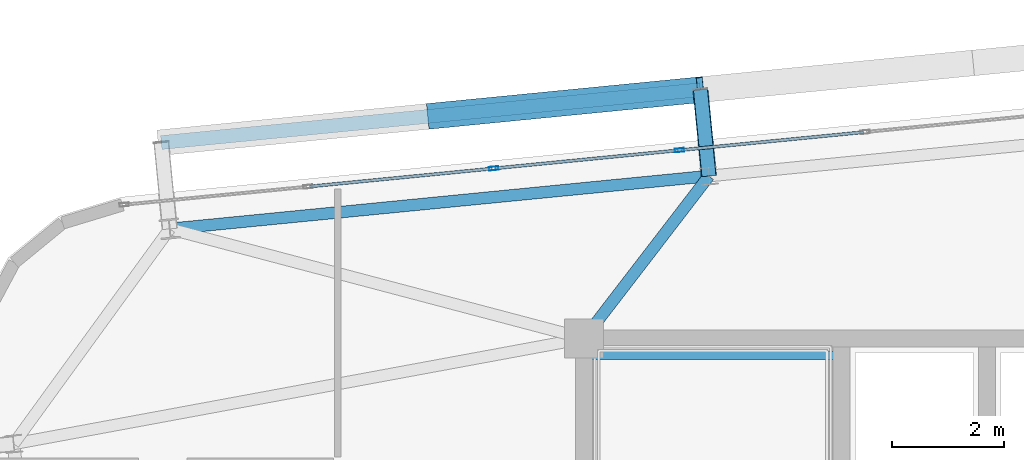
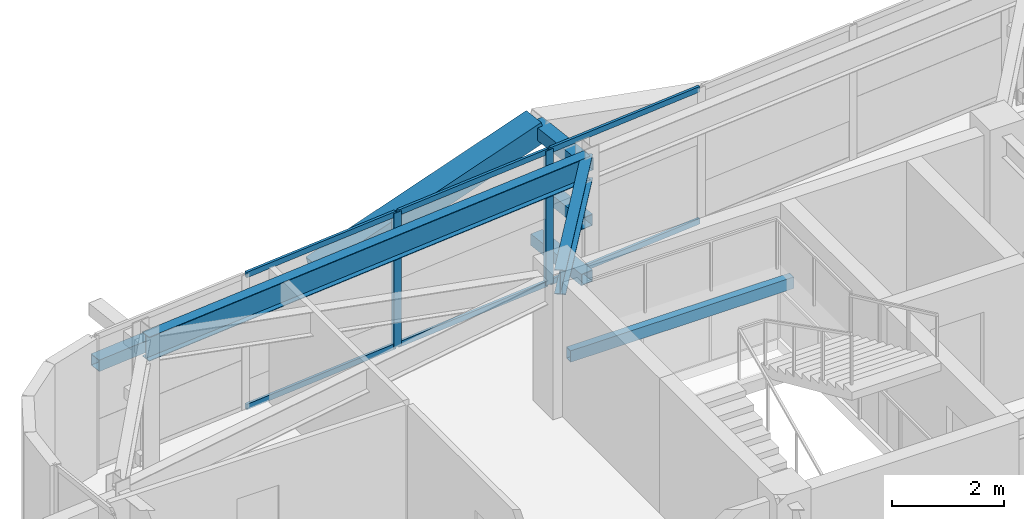
# One storey, part 28 of 53: 13 members, 3 beams, 1 element without a shape of its own.
"""IFC4 building model written with IfcOpenShell, lengths in metres."""

from ifc_helpers import new_model, si_unit, direction, frame, origin, origin_2d, place, context, subcontext, project, spatial, hollow_rectangle, i_section, extrude, source, transform, mapped, material, layer, layer_set, material_profile, profile_set, type_object, element, aggregate, save


model = new_model("IFC4")

# Units and contexts
model_context = context("Model", 3, precision=1e-05, world=origin(), true_north=direction((0.0, 1.0)))
body_context = subcontext(model_context, "Body", "Model", "MODEL_VIEW")
ifc_project = project(units=[si_unit("LENGTHUNIT", "METRE"), si_unit("AREAUNIT", "SQUARE_METRE"), si_unit("VOLUMEUNIT", "CUBIC_METRE"), si_unit("PLANEANGLEUNIT", "RADIAN"), si_unit("MASSUNIT", "GRAM", prefix="KILO")], contexts=[model_context])

# Site, building, storey
site_placement = place(None, origin())
site = spatial("IfcSite", under=ifc_project, at=site_placement, CompositionType="ELEMENT")
building_placement = place(site_placement, origin())
building = spatial("IfcBuilding", under=site, at=building_placement, Name="Taldren Reach Tower", CompositionType="ELEMENT")
storey_placement = place(building_placement, frame((0.0, 0.0, 80.85009765625)))
storey = spatial("IfcBuildingStorey", under=building, at=storey_placement, Name="L24", CompositionType="ELEMENT", Elevation=80.85009765625)

# Beams
ifc_material_1 = material(Name="Steel Gr 350 (350PLUS)", Category="steel")
ifc_material_profile_1 = material_profile(ifc_material_1, i_section(OverallWidth=0.208984375, OverallDepth=0.528076171875, WebThickness=0.009521484375, FlangeThickness=0.01318359375, at=origin_2d()), Name="530UB82.0")
ifc_profile_set_1 = profile_set([ifc_material_profile_1], Name="Steel Gr 350 (350PLUS)")
beam_type_1 = type_object("IfcBeamType", Name="SP-UB530B", PredefinedType="SPANDREL", material=ifc_profile_set_1)
shared_shape_1 = source(origin(), body_context, "Body", "SweptSolid", [
    extrude(i_section(OverallWidth=0.208984375, OverallDepth=0.528076171875, WebThickness=0.009521484375, FlangeThickness=0.01318359375, at=origin_2d()), origin(), (0.0, 0.0, 1.0), 9.679931640625),
])
beam_1_placement = place(storey_placement, frame((21.230712890625, 34.9013671875, 2.666015625), z_axis=(-0.995227612658, -0.097580730699, 0.0), x_axis=(0.097580730699, -0.995227612658, 0.0)))
element("IfcBeam", 1, at=beam_1_placement, inside=storey, type_object=beam_type_1, Name="Perimeter spandrel B2 N2-N1 L24", PredefinedType="SPANDREL", context=body_context, shape_type="MappedRepresentation", body=[
    mapped(shared_shape_1, transform((0.0, 0.0, 0.0), scale=1.0)),
])
ifc_material_profile_2 = material_profile(ifc_material_1, i_section(OverallWidth=0.208984375, OverallDepth=0.532958984375, WebThickness=0.01025390625, FlangeThickness=0.015625, at=origin_2d()), Name="530UB92.4")
ifc_profile_set_2 = profile_set([ifc_material_profile_2], Name="Steel Gr 350 (350PLUS)")
beam_type_2 = type_object("IfcBeamType", Name="BM-UB530A", PredefinedType="BEAM", material=ifc_profile_set_2)
shared_shape_2 = source(origin(), body_context, "Body", "SweptSolid", [
    extrude(i_section(OverallWidth=0.208984375, OverallDepth=0.532958984375, WebThickness=0.01025390625, FlangeThickness=0.015625, at=origin_2d()), origin(), (0.0, 0.0, 1.0), 3.65966796875),
])
beam_2_placement = place(storey_placement, frame((19.0, 32.0, 2.663330078125), z_axis=(0.609520535722, 0.792770279799, 0.0), x_axis=(-0.792770279799, 0.609520535722, 0.0)))
element("IfcBeam", 2, at=beam_2_placement, inside=storey, type_object=beam_type_2, Name="Primary floor girder B2-N2 L24", PredefinedType="BEAM", context=body_context, shape_type="MappedRepresentation", body=[
    mapped(shared_shape_2, transform((0.0, 0.0, 0.0), scale=1.0)),
])

# Members
ifc_material_2 = material(Name="Steel Gr 450 (C450L0)", Category="steel")
ifc_material_profile_3 = material_profile(ifc_material_2, hollow_rectangle(XDim=0.27490234375, YDim=0.27490234375, WallThickness=0.00927734375, at=origin_2d()), Name="275x275x9.3SHS")
ifc_profile_set_3 = profile_set([ifc_material_profile_3], Name="Steel Gr 450 (C450L0)")
member_type_1 = type_object("IfcMemberType", Name="MB-TIE273", PredefinedType="STRUT", material=ifc_profile_set_3)
shared_shape_3 = source(origin(), body_context, "Body", "SweptSolid", [
    extrude(hollow_rectangle(XDim=0.27490234375, YDim=0.27490234375, WallThickness=0.00927734375, at=origin_2d()), origin(), (0.0, 0.0, 1.0), 1.550048828125),
])
member_1_placement = place(storey_placement, frame((21.230712890625, 34.9013671875, 2.64990234375), z_axis=(-0.097647892962, 0.9952210252, 0.0), x_axis=(-0.9952210252, -0.097647892962, 0.0)))
element("IfcMember", 3, at=member_1_placement, inside=storey, type_object=member_type_1, Name="Exoskeleton diaphragm tie strut B2-N2 L24", PredefinedType="STRUT", context=body_context, shape_type="MappedRepresentation", body=[
    mapped(shared_shape_3, transform((0.0, 0.0, 0.0), scale=1.0)),
])
ifc_material_profile_4 = material_profile(ifc_material_2, hollow_rectangle(XDim=0.4599609375, YDim=0.4599609375, WallThickness=0.01611328125, at=origin_2d()), Name="460x460x16.0SHS")
ifc_profile_set_4 = profile_set([ifc_material_profile_4], Name="Steel Gr 450 (C450L0)")
member_type_2 = type_object("IfcMemberType", Name="MB-EXO457", PredefinedType="BRACE", material=ifc_profile_set_4)
shared_shape_4 = source(origin(), body_context, "Body", "SweptSolid", [
    extrude(hollow_rectangle(XDim=0.4599609375, YDim=0.4599609375, WallThickness=0.01611328125, at=origin_2d()), origin(), (0.0, 0.0, 1.0), 4.990234375),
])
member_2_placement = place(storey_placement, frame((16.262451171875, 35.9716796875, 1.434814453125), z_axis=(0.965271056716, 0.094667992638, 0.243494883389), x_axis=(-0.097605711627, 0.995225162995, 0.0)))
element("IfcMember", 4, at=member_2_placement, inside=storey, type_object=member_type_2, Name="Exoskeleton Diagrid Brace B2-N1 L24", PredefinedType="BRACE", context=body_context, shape_type="MappedRepresentation", body=[
    mapped(shared_shape_4, transform((0.0, 0.0, 0.0), scale=1.0)),
])
ifc_material_3 = material(Name="Steel Gr 350 (C350L0)", Category="steel")
ifc_material_profile_5 = material_profile(ifc_material_3, hollow_rectangle(XDim=0.25, YDim=0.25, WallThickness=0.010009765625, at=origin_2d()), Name="250x250x10.0SHS")
ifc_profile_set_5 = profile_set([ifc_material_profile_5], Name="Steel Gr 350 (C350L0)")
member_type_3 = type_object("IfcMemberType", Name="MB-POST250", PredefinedType="POST", material=ifc_profile_set_5)
shared_shape_5 = source(origin(), body_context, "Body", "SweptSolid", [
    extrude(hollow_rectangle(XDim=0.25, YDim=0.25, WallThickness=0.010009765625, at=origin_2d()), origin(), (0.0, 0.0, 1.0), 9.679931640625),
])
member_3_placement = place(storey_placement, frame((11.445556640625, 35.49951171875, 1.434814453125), z_axis=(0.995227612658, 0.097580730699, 0.0), x_axis=(-0.097580730699, 0.995227612658, 0.0)))
element("IfcMember", 5, at=member_3_placement, inside=storey, type_object=member_type_3, Name="Exoskeleton mid-height ring chord B2-N1 L24", PredefinedType="POST", context=body_context, shape_type="MappedRepresentation", body=[
    mapped(shared_shape_5, transform((0.0, 0.0, 0.0), scale=1.0)),
])
shared_shape_6 = source(origin(), body_context, "Body", "SweptSolid", [
    extrude(hollow_rectangle(XDim=0.25, YDim=0.25, WallThickness=0.010009765625, at=origin_2d()), origin(), (0.0, 0.0, 1.0), 1.550048828125),
])
for number, where, z_axis, x_axis, name in (
    (6, (21.230712890625, 34.9013671875, 0.219970703125), (-0.097647892962, 0.9952210252, 0.0), (-0.9952210252, -0.097647892962, 0.0), "Exoskeleton base diaphragm tie strut B2-N2 L24"),
    (7, (21.230712890625, 34.9013671875, 1.434814453125), (-0.097647892962, 0.9952210252, 0.0), (-0.9952210252, -0.097647892962, 0.0), "Exoskeleton mid-tier diaphragm tie B2-N2 L24"),
):
    element("IfcMember", number, at=place(storey_placement, frame(where, z_axis=z_axis, x_axis=x_axis)), inside=storey, type_object=member_type_3, Name=name, PredefinedType="POST", context=body_context, shape_type="MappedRepresentation", body=[
        mapped(shared_shape_6, transform((0.0, 0.0, 0.0), scale=1.0)),
    ])

# Curtain wall, members
ifc_material_4 = material(Name="Aluminium and Low-E Glass Unitised System", Category="aluminium")
ifc_layer = layer(ifc_material_4, 0.159912109375)
ifc_layer_set = layer_set([ifc_layer], Name="Aluminium and Low-E Glass Unitised System")
curtain_wall_type = type_object("IfcCurtainWallType", Name="CW-SYS-3", PredefinedType="NOTDEFINED", material=ifc_layer_set)
curtain_wall_placement = place(storey_placement, origin())
curtain_wall = element("IfcCurtainWall", 8, at=curtain_wall_placement, inside=storey, type_object=curtain_wall_type, Name="Unitised curtain wall CW-L24-N", PredefinedType="NOTDEFINED")
ifc_material_5 = material(Name="Anodised Aluminium 6063-T6", Category="aluminium")
ifc_material_profile_6 = material_profile(ifc_material_5, hollow_rectangle(XDim=0.06494140625, YDim=0.1650390625, WallThickness=0.00390625, at=origin_2d()), Name="ALU-165x65x4RHS")
ifc_profile_set_6 = profile_set([ifc_material_profile_6], Name="Anodised Aluminium 6063-T6")
member_type_4 = type_object("IfcMemberType", Name="CW-MUL-165", PredefinedType="MULLION", material=ifc_profile_set_6)
shared_shape_7 = source(origin(), body_context, "Body", "SweptSolid", [
    extrude(hollow_rectangle(XDim=0.06494140625, YDim=0.1650390625, WallThickness=0.00390625, at=origin_2d()), origin(), (0.0, 0.0, 1.0), 2.929931640625),
])
member_4_placement = place(storey_placement, frame((20.703125, 35.3623046875, 0.0), z_axis=(0.0, 0.0, 1.0), x_axis=(0.097582999046, -0.995227390247, 0.0)))
member_4 = element("IfcMember", 9, at=member_4_placement, type_object=member_type_4, Name="CW-3 mullion 13", PredefinedType="MULLION", context=body_context, shape_type="MappedRepresentation", body=[
    mapped(shared_shape_7, transform((0.0, 0.0, 0.0), scale=1.0)),
])
member_5_placement = place(storey_placement, frame((17.3857421875, 35.036865234375, 0.0), z_axis=(0.0, 0.0, 1.0), x_axis=(0.097582999046, -0.995227390247, 0.0)))
member_5 = element("IfcMember", 10, at=member_5_placement, type_object=member_type_4, Name="CW-3 mullion 14", PredefinedType="MULLION", context=body_context, shape_type="MappedRepresentation", body=[
    mapped(shared_shape_7, transform((0.0, 0.0, 0.0), scale=1.0)),
])
ifc_material_profile_7 = material_profile(ifc_material_5, hollow_rectangle(XDim=0.054931640625, YDim=0.1201171875, WallThickness=0.0029296875, at=origin_2d()), Name="ALU-120x55x3RHS")
ifc_profile_set_7 = profile_set([ifc_material_profile_7], Name="Anodised Aluminium 6063-T6")
member_type_5 = type_object("IfcMemberType", Name="CW-TRN-135", PredefinedType="USERDEFINED", material=ifc_profile_set_7)
shared_shape_8 = source(origin(), body_context, "Body", "SweptSolid", [
    extrude(hollow_rectangle(XDim=0.054931640625, YDim=0.1201171875, WallThickness=0.0029296875, at=origin_2d()), origin(), (0.0, 0.0, 1.0), 3.268310546875),
])
member_6_placement = place(storey_placement, frame((23.98828125, 35.684326171875, 0.02734375), z_axis=(-0.99522980512, -0.097558367146, 0.0), x_axis=(0.097558367146, -0.99522980512, 0.0)))
member_6 = element("IfcMember", 11, at=member_6_placement, type_object=member_type_5, Name="CW-3 transom 12.1", ObjectType="TRANSOM", PredefinedType="USERDEFINED", context=body_context, shape_type="MappedRepresentation", body=[
    mapped(shared_shape_8, transform((0.0, 0.0, 0.0), scale=1.0)),
])
member_7_placement = place(storey_placement, frame((23.98828125, 35.684326171875, 2.90234375), z_axis=(-0.99522980512, -0.097558367146, 0.0), x_axis=(0.097558367146, -0.99522980512, 0.0)))
member_7 = element("IfcMember", 12, at=member_7_placement, type_object=member_type_5, Name="CW-3 transom 12.2", ObjectType="TRANSOM", PredefinedType="USERDEFINED", context=body_context, shape_type="MappedRepresentation", body=[
    mapped(shared_shape_8, transform((0.0, 0.0, 0.0), scale=1.0)),
])
member_8_placement = place(storey_placement, frame((17.353271484375, 35.03369140625, 0.02734375), z_axis=(-0.99522980512, -0.097558367146, 0.0), x_axis=(0.097558367146, -0.99522980512, 0.0)))
member_8 = element("IfcMember", 13, at=member_8_placement, type_object=member_type_5, Name="CW-3 transom 14.1", ObjectType="TRANSOM", PredefinedType="USERDEFINED", context=body_context, shape_type="MappedRepresentation", body=[
    mapped(shared_shape_8, transform((0.0, 0.0, 0.0), scale=1.0)),
])
member_9_placement = place(storey_placement, frame((17.353271484375, 35.03369140625, 2.90234375), z_axis=(-0.99522980512, -0.097558367146, 0.0), x_axis=(0.097558367146, -0.99522980512, 0.0)))
member_9 = element("IfcMember", 14, at=member_9_placement, type_object=member_type_5, Name="CW-3 transom 14.2", ObjectType="TRANSOM", PredefinedType="USERDEFINED", context=body_context, shape_type="MappedRepresentation", body=[
    mapped(shared_shape_8, transform((0.0, 0.0, 0.0), scale=1.0)),
])
shared_shape_9 = source(origin(), body_context, "Body", "SweptSolid", [
    extrude(hollow_rectangle(XDim=0.054931640625, YDim=0.1201171875, WallThickness=0.0029296875, at=origin_2d()), origin(), (0.0, 0.0, 1.0), 3.2685546875),
])
member_10_placement = place(storey_placement, frame((20.6708984375, 35.359130859375, 0.02734375), z_axis=(-0.995223261527, -0.09762509778, 0.0), x_axis=(0.09762509778, -0.995223261527, 0.0)))
member_10 = element("IfcMember", 15, at=member_10_placement, type_object=member_type_5, Name="CW-3 transom 13.1", ObjectType="TRANSOM", PredefinedType="USERDEFINED", context=body_context, shape_type="MappedRepresentation", body=[
    mapped(shared_shape_9, transform((0.0, 0.0, 0.0), scale=1.0)),
])
member_11_placement = place(storey_placement, frame((20.6708984375, 35.359130859375, 2.90234375), z_axis=(-0.995223261527, -0.09762509778, 0.0), x_axis=(0.09762509778, -0.995223261527, 0.0)))
member_11 = element("IfcMember", 16, at=member_11_placement, type_object=member_type_5, Name="CW-3 transom 13.2", ObjectType="TRANSOM", PredefinedType="USERDEFINED", context=body_context, shape_type="MappedRepresentation", body=[
    mapped(shared_shape_9, transform((0.0, 0.0, 0.0), scale=1.0)),
])
aggregate(curtain_wall, [member_4, member_5, member_6, member_7, member_10, member_11, member_8, member_9])

# Beam
ifc_material_profile_8 = material_profile(ifc_material_3, hollow_rectangle(XDim=0.14990234375, YDim=0.25, WallThickness=0.009033203125, at=origin_2d()), Name="250x150x9.0RHS")
ifc_profile_set_8 = profile_set([ifc_material_profile_8], Name="Steel Gr 350 (C350L0)")
beam_type_3 = type_object("IfcBeamType", Name="LN-RHS250", PredefinedType="LINTEL", material=ifc_profile_set_8)
shared_shape_10 = source(origin(), body_context, "Body", "SweptSolid", [
    extrude(hollow_rectangle(XDim=0.14990234375, YDim=0.25, WallThickness=0.009033203125, at=origin_2d()), origin(), (0.0, 0.0, 1.0), 4.60009765625),
])
beam_3_placement = place(storey_placement, frame((19.0, 31.699951171875, 1.27001953125), z_axis=(1.0, 0.0, 0.0), x_axis=(0.0, 1.0, 0.0)))
element("IfcBeam", 17, at=beam_3_placement, inside=storey, type_object=beam_type_3, Name="Stair half-landing support beam ST1-L24-2", PredefinedType="LINTEL", context=body_context, shape_type="MappedRepresentation", body=[
    mapped(shared_shape_10, transform((0.0, 0.0, 0.0), scale=1.0)),
])

save(model, "model.ifc")
